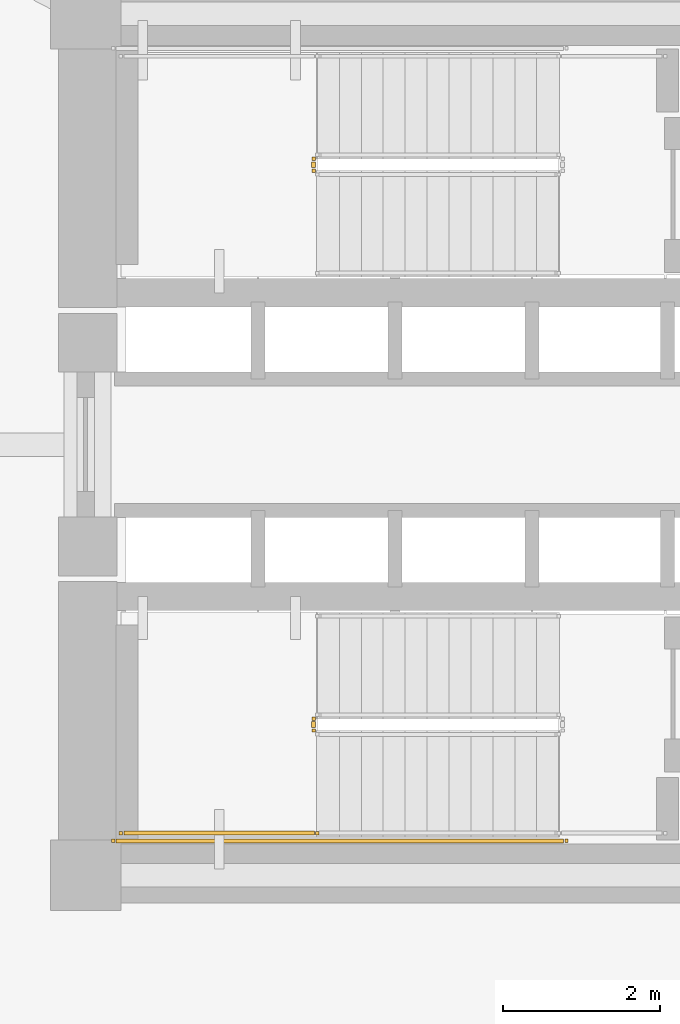
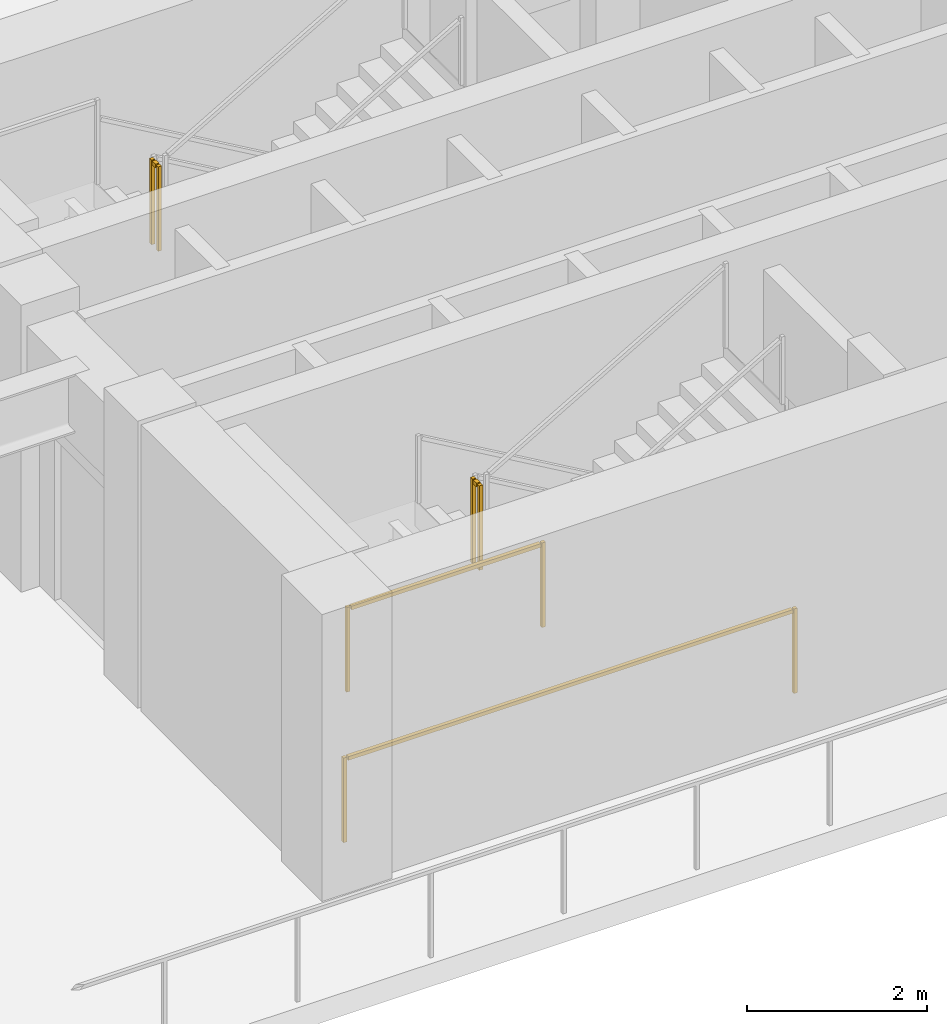
# One storey, part 8 of 15: 4 railings.
"""IFC4 building model written with IfcOpenShell, lengths in metres."""

from ifc_helpers import new_model, si_unit, direction, frame, origin, origin_2d, place, context, subcontext, project, spatial, rectangle, extrude, material, type_object, element, save


model = new_model("IFC4")

# Units and contexts
model_context = context("Model", 3, precision=1e-05, world=origin(), true_north=direction((0.0, 1.0)))
body_context = subcontext(model_context, "Body", "Model", "MODEL_VIEW")
ifc_project = project(units=[si_unit("LENGTHUNIT", "METRE"), si_unit("AREAUNIT", "SQUARE_METRE"), si_unit("VOLUMEUNIT", "CUBIC_METRE"), si_unit("PLANEANGLEUNIT", "RADIAN"), si_unit("MASSUNIT", "GRAM", prefix="KILO")], contexts=[model_context])

# Site, building, storey
site_placement = place(None, origin())
site = spatial("IfcSite", under=ifc_project, at=site_placement, CompositionType="ELEMENT")
building_placement = place(site_placement, origin())
building = spatial("IfcBuilding", under=site, at=building_placement, Name="Yunling Apex Tower", CompositionType="ELEMENT")
storey_placement = place(building_placement, frame((0.0, 0.0, 8.39990234375)))
storey = spatial("IfcBuildingStorey", under=building, at=storey_placement, Name="L03", CompositionType="ELEMENT", Elevation=8.39990234375)

# Railings
ifc_material = material(Name="Steel Q355B", Category="steel")
railing_type = type_object("IfcRailingType", Name="RL-GRD-1150", PredefinedType="GUARDRAIL", material=ifc_material)
for number, where, name in (
    (1, (-3.139892578125, 3.64990234375, 1.9501953125), "L03 ST-1 stair guard 2"),
    (2, (-3.139892578125, -3.5, 1.9501953125), "L03 ST-2 stair guard 2"),
):
    element("IfcRailing", number, at=place(storey_placement, frame(where)), inside=storey, type_object=railing_type, Name=name, PredefinedType="GUARDRAIL", context=body_context, shape_type="SweptSolid", body=[
        extrude(rectangle(XDim=0.0439453125, YDim=0.0439453125, at=origin_2d()), origin(), (0.0, 0.0, 1.0), 1.14990234375),
        extrude(rectangle(XDim=0.0439453125, YDim=0.0439453125, at=origin_2d()), frame((0.0, -0.14990234375, 0.0)), (0.0, 0.0, 1.0), 1.14990234375),
        extrude(rectangle(XDim=0.050048828125, YDim=0.050048828125, at=origin_2d()), frame((0.0, -0.038330078125, 1.125), z_axis=(0.0, -1.0, 0.0), x_axis=(1.0, 0.0, 0.0)), (0.0, 0.0, 1.0), 0.0732421875),
    ])
railing_1_placement = place(storey_placement, frame((-3.090087890625, -4.9599609375, 1.9501953125)))
element("IfcRailing", 3, at=railing_1_placement, inside=storey, type_object=railing_type, Name="L03 ST-2 stair guard 3", PredefinedType="GUARDRAIL", context=body_context, shape_type="SweptSolid", body=[
    extrude(rectangle(XDim=0.0439453125, YDim=0.0439453125, at=origin_2d()), origin(), (0.0, 0.0, 1.0), 1.14990234375),
    extrude(rectangle(XDim=0.0439453125, YDim=0.0439453125, at=origin_2d()), frame((-2.510009765625, 0.0, 0.0)), (0.0, 0.0, 1.0), 1.14990234375),
    extrude(rectangle(XDim=0.050048828125, YDim=0.050048828125, at=origin_2d()), frame((-0.038330078125, 0.0, 1.125), z_axis=(-1.0, 0.0, 0.0), x_axis=(0.0, -1.0, 0.0)), (0.0, 0.0, 1.0), 2.433349609375),
])
railing_2_placement = place(storey_placement, frame((0.090087890625, -5.06005859375, 0.0)))
element("IfcRailing", 4, at=railing_2_placement, inside=storey, type_object=railing_type, Name="L03 ST-2 stair guard 7", PredefinedType="GUARDRAIL", context=body_context, shape_type="SweptSolid", body=[
    extrude(rectangle(XDim=0.0439453125, YDim=0.0439453125, at=origin_2d()), origin(), (0.0, 0.0, 1.0), 1.14990234375),
    extrude(rectangle(XDim=0.0439453125, YDim=0.0439453125, at=origin_2d()), frame((-5.7900390625, 0.0, 0.0)), (0.0, 0.0, 1.0), 1.14990234375),
    extrude(rectangle(XDim=0.050048828125, YDim=0.050048828125, at=origin_2d()), frame((-0.038330078125, 0.0, 1.125), z_axis=(-1.0, 0.0, 0.0), x_axis=(0.0, -1.0, 0.0)), (0.0, 0.0, 1.0), 5.71337890625),
])

save(model, "model.ifc")
